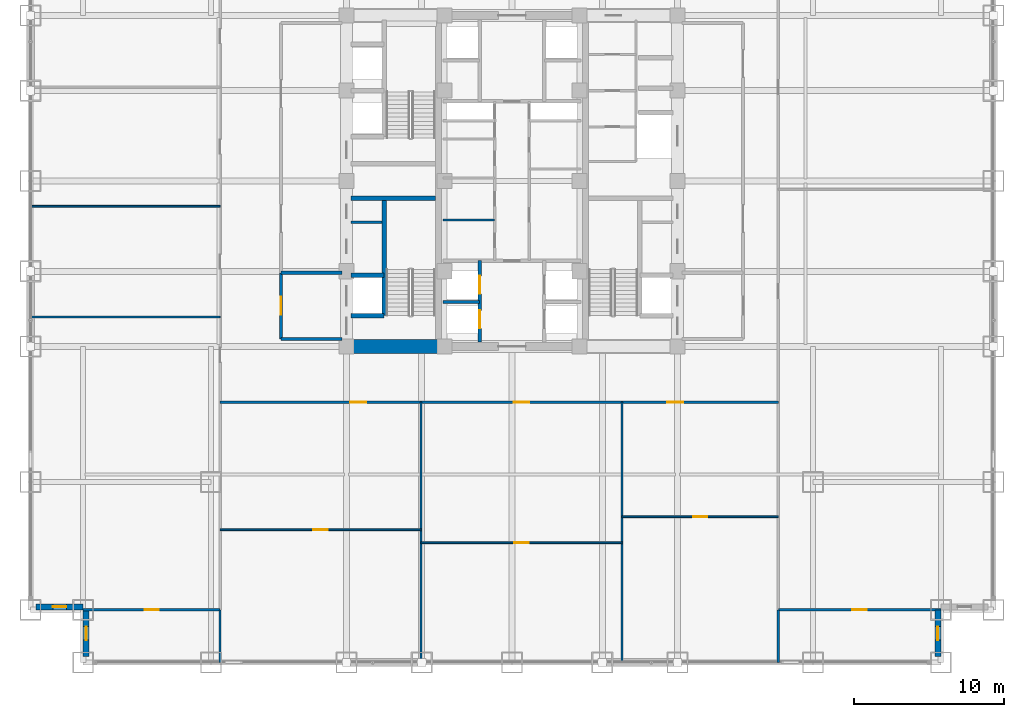
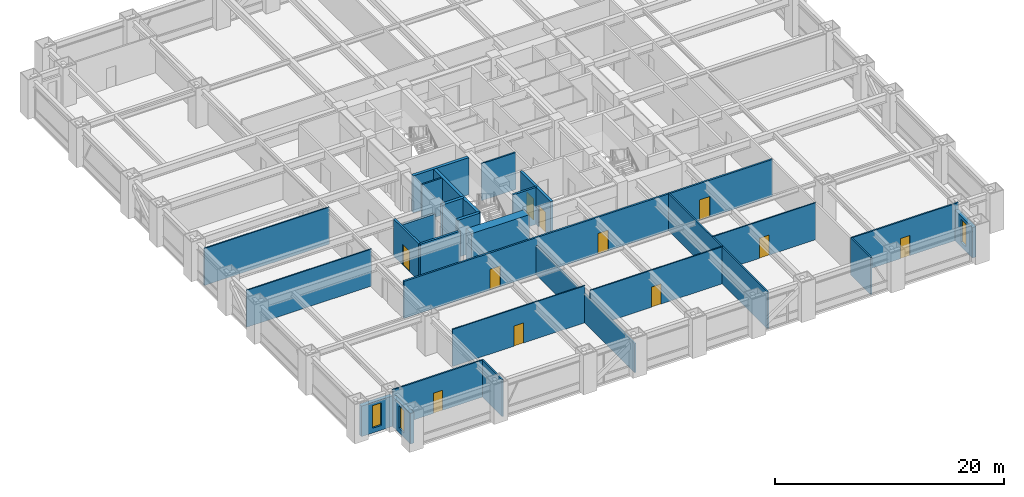
# One storey, part 23 of 28: 27 walls, 11 doors, 3 windows, 14 openings.
"""IFC4 building model written with IfcOpenShell, lengths in metres."""

from ifc_helpers import new_model, si_unit, direction, frame, frame_2d, origin, place, context, subcontext, project, spatial, rectangle, extrude, source, transform, mapped, material, layer, layer_set, type_object, element, fill, save


model = new_model("IFC4")

# Units and contexts
model_context = context("Model", 3, precision=1e-05, world=origin(), true_north=direction((0.0, 1.0)))
body_context = subcontext(model_context, "Body", "Model", "MODEL_VIEW")
ifc_project = project(units=[si_unit("LENGTHUNIT", "METRE"), si_unit("AREAUNIT", "SQUARE_METRE"), si_unit("VOLUMEUNIT", "CUBIC_METRE"), si_unit("PLANEANGLEUNIT", "RADIAN"), si_unit("MASSUNIT", "GRAM", prefix="KILO")], contexts=[model_context])

# Site, building, storey
site_placement = place(None, origin())
site = spatial("IfcSite", under=ifc_project, at=site_placement, CompositionType="ELEMENT")
building_placement = place(site_placement, origin())
building = spatial("IfcBuilding", under=site, at=building_placement, Name="Khorayat Bourse Tower", CompositionType="ELEMENT")
storey_placement = place(building_placement, frame((0.0, 0.0, 57.800048828125)))
storey = spatial("IfcBuildingStorey", under=building, at=storey_placement, Name="L12", CompositionType="ELEMENT", Elevation=57.800048828125)

# Walls
ifc_material_1 = material(Name="Concrete C72/90", Category="concrete")
ifc_layer_1 = layer(ifc_material_1, 0.89990234375)
ifc_layer_set_1 = layer_set([ifc_layer_1], Name="Concrete C72/90")
wall_type_1 = type_object("IfcWallType", Name="WAL-CORE-900", PredefinedType="SHEAR", material=ifc_layer_set_1)
shared_shape_1 = source(origin(), body_context, "Body", "SweptSolid", [
    extrude(rectangle(XDim=5.849853515625, YDim=0.89990234375, at=frame_2d((2.9248046875, 0.0))), origin(), (0.0, 0.0, 1.0), 3.93994140625),
])
wall_1_placement = place(storey_placement, frame((-10.699951171875, -11.0, 0.0), z_axis=(0.0, 0.0, 1.0), x_axis=(1.0, 0.0, 0.0)))
element("IfcWall", 1, at=wall_1_placement, inside=storey, type_object=wall_type_1, Name="L12 Core Shear Wall PIER-WS", PredefinedType="SHEAR", context=body_context, shape_type="MappedRepresentation", body=[
    mapped(shared_shape_1, transform((0.0, 0.0, 0.0), scale=1.0)),
])
ifc_material_2 = material(Name="Concrete C50/60", Category="concrete")
ifc_layer_2 = layer(ifc_material_2, 0.300048828125)
ifc_layer_set_2 = layer_set([ifc_layer_2], Name="Concrete C50/60")
wall_type_2 = type_object("IfcWallType", Name="WAL-SHAFT-300", PredefinedType="SHEAR", material=ifc_layer_set_2)
shared_shape_2 = source(origin(), body_context, "Body", "SweptSolid", [
    extrude(rectangle(XDim=5.599853515625, YDim=0.300048828125, at=frame_2d((2.7998046875, 0.0))), origin(), (0.0, 0.0, 1.0), 3.93994140625),
])
wall_2_placement = place(storey_placement, frame((-10.699951171875, -1.14990234375, 0.0), z_axis=(0.0, 0.0, 1.0), x_axis=(1.0, 0.0, 0.0)))
element("IfcWall", 2, at=wall_2_placement, inside=storey, type_object=wall_type_2, Name="L12 Core Shear Wall ST1-DIV", PredefinedType="SHEAR", context=body_context, shape_type="MappedRepresentation", body=[
    mapped(shared_shape_2, transform((0.0, 0.0, 0.0), scale=1.0)),
])

# Wall, opening, window
ifc_material_3 = material(Name="Precast concrete C45/55", Category="concrete")
ifc_layer_3 = layer(ifc_material_3, 0.3798828125)
ifc_layer_set_3 = layer_set([ifc_layer_3], Name="Precast concrete C45/55")
wall_type_3 = type_object("IfcWallType", Name="WAL-EXT-STONE-380", PredefinedType="STANDARD", material=ifc_layer_set_3)
shared_shape_3 = source(origin(), body_context, "Body", "SweptSolid", [
    extrude(rectangle(XDim=3.1201171875, YDim=0.3798828125, at=frame_2d((1.56005859375, 0.0))), origin(), (0.0, 0.0, 1.0), 3.244873046875),
])
wall_3_placement = place(storey_placement, frame((-28.5, -28.31005859375, 0.0), z_axis=(0.0, 0.0, 1.0), x_axis=(-1.0, 0.0, 0.0)))
wall_3 = element("IfcWall", 3, at=wall_3_placement, inside=storey, type_object=wall_type_3, Name="L12 Re-Entrant Notch Limestone Wall SW-H", PredefinedType="STANDARD", context=body_context, shape_type="MappedRepresentation", body=[
    mapped(shared_shape_3, transform((0.0, 0.0, 0.0), scale=1.0)),
])
shared_shape_4 = source(origin(), body_context, "Body", "SweptSolid", [
    extrude(rectangle(XDim=0.89990234375, YDim=2.39990234375, at=frame_2d((0.449951171875, 1.199951171875))), frame((0.0, 0.199951171875, 0.0), z_axis=(0.0, -1.0, 0.0), x_axis=(1.0, 0.0, 0.0)), (0.0, 0.0, 1.0), 0.39990234375),
])
opening_1_placement = place(wall_3_placement, frame((1.110107421875, 0.0, 0.5)))
opening_1 = element("IfcOpeningElement", 4, at=opening_1_placement, cuts=wall_3, Name="Opening WN-03", PredefinedType="OPENING", context=body_context, shape_type="MappedRepresentation", body=[
    mapped(shared_shape_4, transform((0.0, 0.0, 0.0), scale=1.0)),
])
ifc_material_4 = material(Name="Deep-reveal solar-control double glazing", Category="glass")
window_type = type_object("IfcWindowType", Name="WIN-SLOT-900x2400", PartitioningType="SINGLE_PANEL", PredefinedType="WINDOW", material=ifc_material_4)
shared_shape_5 = source(origin(), body_context, "Body", "SweptSolid", [
    extrude(rectangle(XDim=0.89990234375, YDim=2.39990234375, at=frame_2d((0.449951171875, 1.199951171875))), frame((0.0, 0.030029296875, 0.0), z_axis=(0.0, -1.0, 0.0), x_axis=(1.0, 0.0, 0.0)), (0.0, 0.0, 1.0), 0.06005859375),
])
window_1_placement = place(opening_1_placement, origin())
window_1 = element("IfcWindow", 5, at=window_1_placement, inside=storey, type_object=window_type, Name="L12 Facade Window 1", OverallHeight=2.39990234375, OverallWidth=0.89990234375, PartitioningType="SINGLE_PANEL", PredefinedType="WINDOW", context=body_context, shape_type="MappedRepresentation", body=[
    mapped(shared_shape_5, transform((0.0, 0.0, 0.0), scale=1.0)),
])
fill(opening_1, window_1)

wall_4_placement = place(storey_placement, frame((-28.31005859375, -31.6201171875, 0.0), z_axis=(0.0, 0.0, 1.0), x_axis=(0.0, 1.0, 0.0)))
wall_4 = element("IfcWall", 6, at=wall_4_placement, inside=storey, type_object=wall_type_3, Name="L12 Re-Entrant Notch Limestone Wall SW-V", PredefinedType="STANDARD", context=body_context, shape_type="MappedRepresentation", body=[
    mapped(shared_shape_3, transform((0.0, 0.0, 0.0), scale=1.0)),
])
opening_2_placement = place(wall_4_placement, frame((1.110107421875, 0.0, 0.5)))
opening_2 = element("IfcOpeningElement", 7, at=opening_2_placement, cuts=wall_4, Name="Opening WN-03", PredefinedType="OPENING", context=body_context, shape_type="MappedRepresentation", body=[
    mapped(shared_shape_4, transform((0.0, 0.0, 0.0), scale=1.0)),
])
window_2_placement = place(opening_2_placement, origin())
window_2 = element("IfcWindow", 8, at=window_2_placement, inside=storey, type_object=window_type, Name="L12 Facade Window 1", OverallHeight=2.39990234375, OverallWidth=0.89990234375, PartitioningType="SINGLE_PANEL", PredefinedType="WINDOW", context=body_context, shape_type="MappedRepresentation", body=[
    mapped(shared_shape_5, transform((0.0, 0.0, 0.0), scale=1.0)),
])
fill(opening_2, window_2)

wall_5_placement = place(storey_placement, frame((28.31005859375, -31.6201171875, 0.0), z_axis=(0.0, 0.0, 1.0), x_axis=(0.0, 1.0, 0.0)))
wall_5 = element("IfcWall", 9, at=wall_5_placement, inside=storey, type_object=wall_type_3, Name="L12 Re-Entrant Notch Limestone Wall SE-V", PredefinedType="STANDARD", context=body_context, shape_type="MappedRepresentation", body=[
    mapped(shared_shape_3, transform((0.0, 0.0, 0.0), scale=1.0)),
])
opening_3_placement = place(wall_5_placement, frame((1.110107421875, 0.0, 0.5)))
opening_3 = element("IfcOpeningElement", 10, at=opening_3_placement, cuts=wall_5, Name="Opening WN-03", PredefinedType="OPENING", context=body_context, shape_type="MappedRepresentation", body=[
    mapped(shared_shape_4, transform((0.0, 0.0, 0.0), scale=1.0)),
])
window_3_placement = place(opening_3_placement, origin())
window_3 = element("IfcWindow", 11, at=window_3_placement, inside=storey, type_object=window_type, Name="L12 Facade Window 1", OverallHeight=2.39990234375, OverallWidth=0.89990234375, PartitioningType="SINGLE_PANEL", PredefinedType="WINDOW", context=body_context, shape_type="MappedRepresentation", body=[
    mapped(shared_shape_5, transform((0.0, 0.0, 0.0), scale=1.0)),
])
fill(opening_3, window_3)

# Walls
shared_shape_6 = source(origin(), body_context, "Body", "SweptSolid", [
    extrude(rectangle(XDim=7.800048828125, YDim=0.300048828125, at=frame_2d((3.89990234375, 0.0))), origin(), (0.0, 0.0, 1.0), 3.93994140625),
])
wall_6_placement = place(storey_placement, frame((-8.5, -8.949951171875, 0.0), z_axis=(0.0, 0.0, 1.0), x_axis=(0.0, 1.0, 0.0)))
element("IfcWall", 12, at=wall_6_placement, inside=storey, type_object=wall_type_2, Name="L12 Partition WAL-L12-WPIER-SP", PredefinedType="SHEAR", context=body_context, shape_type="MappedRepresentation", body=[
    mapped(shared_shape_6, transform((0.0, 0.0, 0.0), scale=1.0)),
])
shared_shape_7 = source(origin(), body_context, "Body", "SweptSolid", [
    extrude(rectangle(XDim=2.199951171875, YDim=0.300048828125, at=frame_2d((1.10009765625, 0.0))), origin(), (0.0, 0.0, 1.0), 3.93994140625),
])
for number, where, z_axis, x_axis, name in (
    (13, (-10.699951171875, -8.949951171875, 0.0), (0.0, 0.0, 1.0), (1.0, 0.0, 0.0), "L12 Partition WAL-L12-WPIER-FF1S"),
    (14, (-10.699951171875, -6.25, 0.0), (0.0, 0.0, 1.0), (1.0, 0.0, 0.0), "L12 Partition WAL-L12-WPIER-FF1N"),
):
    element("IfcWall", number, at=place(storey_placement, frame(where, z_axis=z_axis, x_axis=x_axis)), inside=storey, type_object=wall_type_2, Name=name, PredefinedType="SHEAR", context=body_context, shape_type="MappedRepresentation", body=[
        mapped(shared_shape_7, transform((0.0, 0.0, 0.0), scale=1.0)),
    ])
ifc_material_5 = material(Name="Gypsum plasterboard twin-frame partition")
ifc_layer_4 = layer(ifc_material_5, 0.14990234375)
ifc_layer_set_4 = layer_set([ifc_layer_4], Name="Gypsum plasterboard twin-frame partition")
wall_type_4 = type_object("IfcWallType", Name="WAL-PART-SUITE-150", PredefinedType="PARTITIONING", material=ifc_layer_set_4)
shared_shape_8 = source(origin(), body_context, "Body", "SweptSolid", [
    extrude(rectangle(XDim=2.050048828125, YDim=0.14990234375, at=frame_2d((1.02490234375, 0.0))), origin(), (0.0, 0.0, 1.0), 3.93994140625),
])
wall_7_placement = place(storey_placement, frame((-10.699951171875, -2.75, 0.0), z_axis=(0.0, 0.0, 1.0), x_axis=(1.0, 0.0, 0.0)))
element("IfcWall", 15, at=wall_7_placement, inside=storey, type_object=wall_type_4, Name="L12 Partition WAL-L12-WSRV-D1", PredefinedType="PARTITIONING", context=body_context, shape_type="MappedRepresentation", body=[
    mapped(shared_shape_8, transform((0.0, 0.0, 0.0), scale=1.0)),
])
ifc_material_6 = material(Name="Aerated concrete blockwork", Category="masonry")
ifc_layer_5 = layer(ifc_material_6, 0.219970703125)
ifc_layer_set_5 = layer_set([ifc_layer_5], Name="Aerated concrete blockwork")
wall_type_5 = type_object("IfcWallType", Name="WAL-PART-FF-220", PredefinedType="PARTITIONING", material=ifc_layer_set_5)
shared_shape_9 = source(origin(), body_context, "Body", "SweptSolid", [
    extrude(rectangle(XDim=4.050048828125, YDim=0.219970703125, at=frame_2d((2.02490234375, 0.0))), origin(), (0.0, 0.0, 1.0), 3.93994140625),
])
wall_8_placement = place(storey_placement, frame((-15.35009765625, -10.5, 0.0), z_axis=(0.0, 0.0, 1.0), x_axis=(1.0, 0.0, 0.0)))
element("IfcWall", 16, at=wall_8_placement, inside=storey, type_object=wall_type_5, Name="L12 Partition WAL-L12-FFLW-S", PredefinedType="PARTITIONING", context=body_context, shape_type="MappedRepresentation", body=[
    mapped(shared_shape_9, transform((0.0, 0.0, 0.0), scale=1.0)),
])
shared_shape_10 = source(origin(), body_context, "Body", "SweptSolid", [
    extrude(rectangle(XDim=4.050048828125, YDim=0.219970703125, at=frame_2d((2.02490234375, 0.0))), origin(), (0.0, 0.0, 1.0), 3.0849609375),
])
wall_9_placement = place(storey_placement, frame((-15.35009765625, -6.10009765625, 0.0), z_axis=(0.0, 0.0, 1.0), x_axis=(1.0, 0.0, 0.0)))
element("IfcWall", 17, at=wall_9_placement, inside=storey, type_object=wall_type_5, Name="L12 Partition WAL-L12-FFLW-N", PredefinedType="PARTITIONING", context=body_context, shape_type="MappedRepresentation", body=[
    mapped(shared_shape_10, transform((0.0, 0.0, 0.0), scale=1.0)),
])

# Wall, opening, door
shared_shape_11 = source(origin(), body_context, "Body", "SweptSolid", [
    extrude(rectangle(XDim=4.39990234375, YDim=0.219970703125, at=frame_2d((2.199951171875, 0.0))), origin(), (0.0, 0.0, 1.0), 3.93994140625),
])
wall_10_placement = place(storey_placement, frame((-15.35009765625, -10.5, 0.0), z_axis=(0.0, 0.0, 1.0), x_axis=(0.0, 1.0, 0.0)))
wall_10 = element("IfcWall", 18, at=wall_10_placement, inside=storey, type_object=wall_type_5, Name="L12 Partition WAL-L12-FFLW-W", PredefinedType="PARTITIONING", context=body_context, shape_type="MappedRepresentation", body=[
    mapped(shared_shape_11, transform((0.0, 0.0, 0.0), scale=1.0)),
])
shared_shape_12 = source(origin(), body_context, "Body", "SweptSolid", [
    extrude(rectangle(XDim=1.199951171875, YDim=2.199951171875, at=frame_2d((0.60009765625, 1.10009765625))), frame((0.0, 0.119873046875, 0.0), z_axis=(0.0, -1.0, 0.0), x_axis=(1.0, 0.0, 0.0)), (0.0, 0.0, 1.0), 0.239990234375),
])
opening_4_placement = place(wall_10_placement, frame((1.60009765625, 0.0, 0.0)))
opening_4 = element("IfcOpeningElement", 19, at=opening_4_placement, cuts=wall_10, Name="Opening DI-02", PredefinedType="OPENING", context=body_context, shape_type="MappedRepresentation", body=[
    mapped(shared_shape_12, transform((0.0, 0.0, 0.0), scale=1.0)),
])
ifc_material_7 = material(Name="Fire-rated steel double-seal leaf", Category="steel")
door_type_1 = type_object("IfcDoorType", Name="DR-INT-FFLOBBY-1200", OperationType="NOTDEFINED", PredefinedType="DOOR", material=ifc_material_7)
shared_shape_13 = source(origin(), body_context, "Body", "SweptSolid", [
    extrude(rectangle(XDim=1.199951171875, YDim=2.199951171875, at=frame_2d((0.60009765625, 1.10009765625))), frame((0.0, 0.02490234375, 0.0), z_axis=(0.0, -1.0, 0.0), x_axis=(1.0, 0.0, 0.0)), (0.0, 0.0, 1.0), 0.050048828125),
])
door_1_placement = place(opening_4_placement, origin())
door_1 = element("IfcDoor", 20, at=door_1_placement, inside=storey, type_object=door_type_1, Name="L12 West Firefighting Lobby Door", OperationType="SINGLE_SWING_LEFT", OverallHeight=2.199951171875, OverallWidth=1.199951171875, PredefinedType="DOOR", context=body_context, shape_type="MappedRepresentation", body=[
    mapped(shared_shape_13, transform((0.0, 0.0, 0.0), scale=1.0)),
])
fill(opening_4, door_1)

# Wall, openings, doors
shared_shape_14 = source(origin(), body_context, "Body", "SweptSolid", [
    extrude(rectangle(XDim=5.39990234375, YDim=0.25, at=frame_2d((2.699951171875, 0.0))), origin(), (0.0, 0.0, 1.0), 3.93994140625),
])
wall_11_placement = place(storey_placement, frame((-2.14990234375, -10.699951171875, 0.0), z_axis=(0.0, 0.0, 1.0), x_axis=(0.0, 1.0, 0.0)))
wall_11 = element("IfcWall", 21, at=wall_11_placement, inside=storey, type_object=wall_type_2, Name="L12 Partition WAL-L12-B1-W", PredefinedType="SHEAR", context=body_context, shape_type="MappedRepresentation", body=[
    mapped(shared_shape_14, transform((0.0, 0.0, 0.0), scale=1.0)),
])
shared_shape_15 = source(origin(), body_context, "Body", "SweptSolid", [
    extrude(rectangle(XDim=1.199951171875, YDim=2.300048828125, at=frame_2d((0.60009765625, 1.14990234375))), frame((0.0, 0.135009765625, 0.0), z_axis=(0.0, -1.0, 0.0), x_axis=(1.0, 0.0, 0.0)), (0.0, 0.0, 1.0), 0.27001953125),
])
opening_5_placement = place(wall_11_placement, frame((0.89990234375, 0.0, 0.0)))
opening_5 = element("IfcOpeningElement", 22, at=opening_5_placement, cuts=wall_11, Name="Opening LD-01", PredefinedType="OPENING", context=body_context, shape_type="MappedRepresentation", body=[
    mapped(shared_shape_15, transform((0.0, 0.0, 0.0), scale=1.0)),
])
opening_6_placement = place(wall_11_placement, frame((3.199951171875, 0.0, 0.0)))
opening_6 = element("IfcOpeningElement", 23, at=opening_6_placement, cuts=wall_11, Name="Opening LD-01", PredefinedType="OPENING", context=body_context, shape_type="MappedRepresentation", body=[
    mapped(shared_shape_15, transform((0.0, 0.0, 0.0), scale=1.0)),
])
ifc_material_8 = material(Name="Brushed bronze stainless-steel sliding door", Category="steel")
door_type_2 = type_object("IfcDoorType", Name="DR-LIFT-PASS-1200", OperationType="NOTDEFINED", PredefinedType="DOOR", material=ifc_material_8)
shared_shape_16 = source(origin(), body_context, "Body", "SweptSolid", [
    extrude(rectangle(XDim=1.199951171875, YDim=2.300048828125, at=frame_2d((0.60009765625, 1.14990234375))), frame((0.0, 0.02490234375, 0.0), z_axis=(0.0, -1.0, 0.0), x_axis=(1.0, 0.0, 0.0)), (0.0, 0.0, 1.0), 0.050048828125),
])
door_2_placement = place(opening_5_placement, origin())
door_2 = element("IfcDoor", 24, at=door_2_placement, inside=storey, type_object=door_type_2, Name="L12 Lift PL-L1 Sliding Landing Door", OperationType="SLIDING_TO_LEFT", OverallHeight=2.300048828125, OverallWidth=1.199951171875, PredefinedType="DOOR", context=body_context, shape_type="MappedRepresentation", body=[
    mapped(shared_shape_16, transform((0.0, 0.0, 0.0), scale=1.0)),
])
fill(opening_5, door_2)
door_3_placement = place(opening_6_placement, origin())
door_3 = element("IfcDoor", 25, at=door_3_placement, inside=storey, type_object=door_type_2, Name="L12 Lift PL-L3 Sliding Landing Door", OperationType="SLIDING_TO_LEFT", OverallHeight=2.300048828125, OverallWidth=1.199951171875, PredefinedType="DOOR", context=body_context, shape_type="MappedRepresentation", body=[
    mapped(shared_shape_16, transform((0.0, 0.0, 0.0), scale=1.0)),
])
fill(opening_6, door_3)

# Walls
shared_shape_17 = source(origin(), body_context, "Body", "SweptSolid", [
    extrude(rectangle(XDim=2.4501953125, YDim=0.199951171875, at=frame_2d((1.22509765625, 0.0))), origin(), (0.0, 0.0, 1.0), 3.93994140625),
])
wall_12_placement = place(storey_placement, frame((-4.60009765625, -8.050048828125, 0.0), z_axis=(0.0, 0.0, 1.0), x_axis=(1.0, 0.0, 0.0)))
element("IfcWall", 26, at=wall_12_placement, inside=storey, type_object=wall_type_2, Name="L12 Partition WAL-L12-B1-MW", PredefinedType="SHEAR", context=body_context, shape_type="MappedRepresentation", body=[
    mapped(shared_shape_17, transform((0.0, 0.0, 0.0), scale=1.0)),
])
ifc_material_9 = material(Name="Moisture-resistant masonry partition", Category="masonry")
ifc_layer_6 = layer(ifc_material_9, 0.139892578125)
ifc_layer_set_6 = layer_set([ifc_layer_6], Name="Moisture-resistant masonry partition")
wall_type_6 = type_object("IfcWallType", Name="WAL-PART-WET-140", PredefinedType="PARTITIONING", material=ifc_layer_set_6)
shared_shape_18 = source(origin(), body_context, "Body", "SweptSolid", [
    extrude(rectangle(XDim=3.4501953125, YDim=0.139892578125, at=frame_2d((1.72509765625, 0.0))), origin(), (0.0, 0.0, 1.0), 3.93994140625),
])
wall_13_placement = place(storey_placement, frame((-4.60009765625, -2.60009765625, 0.0), z_axis=(0.0, 0.0, 1.0), x_axis=(1.0, 0.0, 0.0)))
element("IfcWall", 27, at=wall_13_placement, inside=storey, type_object=wall_type_6, Name="L12 Partition WAL-L12-CMW-D1", PredefinedType="PARTITIONING", context=body_context, shape_type="MappedRepresentation", body=[
    mapped(shared_shape_18, transform((0.0, 0.0, 0.0), scale=1.0)),
])
shared_shape_19 = source(origin(), body_context, "Body", "SweptSolid", [
    extrude(rectangle(XDim=3.5, YDim=0.14990234375, at=frame_2d((1.75, 0.0))), origin(), (0.0, 0.0, 1.0), 3.93994140625),
])
for number, where, z_axis, x_axis, name in (
    (28, (-19.39990234375, -32.0, 0.0), (0.0, 0.0, 1.0), (0.0, 1.0, 0.0), "L12 Partition WAL-L12-SCW-END"),
    (29, (17.699951171875, -32.0, 0.0), (0.0, 0.0, 1.0), (0.0, 1.0, 0.0), "L12 Partition WAL-L12-SCE-END"),
):
    element("IfcWall", number, at=place(storey_placement, frame(where, z_axis=z_axis, x_axis=x_axis)), inside=storey, type_object=wall_type_4, Name=name, PredefinedType="PARTITIONING", context=body_context, shape_type="MappedRepresentation", body=[
        mapped(shared_shape_19, transform((0.0, 0.0, 0.0), scale=1.0)),
    ])

# Wall, opening, door
shared_shape_20 = source(origin(), body_context, "Body", "SweptSolid", [
    extrude(rectangle(XDim=10.800048828125, YDim=0.14990234375, at=frame_2d((5.39990234375, 0.0))), origin(), (0.0, 0.0, 1.0), 3.93994140625),
])
wall_14_placement = place(storey_placement, frame((17.699951171875, -28.5, 0.0), z_axis=(0.0, 0.0, 1.0), x_axis=(1.0, 0.0, 0.0)))
wall_14 = element("IfcWall", 30, at=wall_14_placement, inside=storey, type_object=wall_type_4, Name="L12 Partition WAL-L12-CSE", PredefinedType="PARTITIONING", context=body_context, shape_type="MappedRepresentation", body=[
    mapped(shared_shape_20, transform((0.0, 0.0, 0.0), scale=1.0)),
])
shared_shape_21 = source(origin(), body_context, "Body", "SweptSolid", [
    extrude(rectangle(XDim=0.949951171875, YDim=2.14990234375, at=frame_2d((0.47509765625, 1.074951171875))), frame((0.0, 0.0849609375, 0.0), z_axis=(0.0, -1.0, 0.0), x_axis=(1.0, 0.0, 0.0)), (0.0, 0.0, 1.0), 0.169921875),
])
opening_7_placement = place(wall_14_placement, frame((4.925048828125, 0.0, 0.0)))
opening_7 = element("IfcOpeningElement", 31, at=opening_7_placement, cuts=wall_14, Name="Opening DI-05", PredefinedType="OPENING", context=body_context, shape_type="MappedRepresentation", body=[
    mapped(shared_shape_21, transform((0.0, 0.0, 0.0), scale=1.0)),
])
ifc_material_10 = material(Name="Acoustic oak veneer office door")
door_type_3 = type_object("IfcDoorType", Name="DR-INT-OFFICE-950", OperationType="NOTDEFINED", PredefinedType="DOOR", material=ifc_material_10)
shared_shape_22 = source(origin(), body_context, "Body", "SweptSolid", [
    extrude(rectangle(XDim=0.949951171875, YDim=2.14990234375, at=frame_2d((0.47509765625, 1.074951171875))), frame((0.0, 0.02490234375, 0.0), z_axis=(0.0, -1.0, 0.0), x_axis=(1.0, 0.0, 0.0)), (0.0, 0.0, 1.0), 0.050048828125),
])
door_4_placement = place(opening_7_placement, origin())
door_4 = element("IfcDoor", 32, at=door_4_placement, inside=storey, type_object=door_type_3, Name="L12 South-East Corner Briefing Room Door", OperationType="SINGLE_SWING_LEFT", OverallHeight=2.14990234375, OverallWidth=0.949951171875, PredefinedType="DOOR", context=body_context, shape_type="MappedRepresentation", body=[
    mapped(shared_shape_22, transform((0.0, 0.0, 0.0), scale=1.0)),
])
fill(opening_7, door_4)

shared_shape_23 = source(origin(), body_context, "Body", "SweptSolid", [
    extrude(rectangle(XDim=9.10009765625, YDim=0.14990234375, at=frame_2d((4.550048828125, 0.0))), origin(), (0.0, 0.0, 1.0), 3.93994140625),
])
wall_15_placement = place(storey_placement, frame((-28.5, -28.5, 0.0), z_axis=(0.0, 0.0, 1.0), x_axis=(1.0, 0.0, 0.0)))
wall_15 = element("IfcWall", 33, at=wall_15_placement, inside=storey, type_object=wall_type_4, Name="L12 Partition WAL-L12-CSW", PredefinedType="PARTITIONING", context=body_context, shape_type="MappedRepresentation", body=[
    mapped(shared_shape_23, transform((0.0, 0.0, 0.0), scale=1.0)),
])
opening_8_placement = place(wall_15_placement, frame((4.074951171875, 0.0, 0.0)))
opening_8 = element("IfcOpeningElement", 34, at=opening_8_placement, cuts=wall_15, Name="Opening DI-05", PredefinedType="OPENING", context=body_context, shape_type="MappedRepresentation", body=[
    mapped(shared_shape_21, transform((0.0, 0.0, 0.0), scale=1.0)),
])
door_5_placement = place(opening_8_placement, origin())
door_5 = element("IfcDoor", 35, at=door_5_placement, inside=storey, type_object=door_type_3, Name="L12 South-West Corner Office Door", OperationType="SINGLE_SWING_LEFT", OverallHeight=2.14990234375, OverallWidth=0.949951171875, PredefinedType="DOOR", context=body_context, shape_type="MappedRepresentation", body=[
    mapped(shared_shape_22, transform((0.0, 0.0, 0.0), scale=1.0)),
])
fill(opening_8, door_5)

ifc_material_11 = material(Name="Gypsum plasterboard partition")
ifc_layer_7 = layer(ifc_material_11, 0.125)
ifc_layer_set_7 = layer_set([ifc_layer_7], Name="Gypsum plasterboard partition")
wall_type_7 = type_object("IfcWallType", Name="WAL-PART-ROOM-125", PredefinedType="PARTITIONING", material=ifc_layer_set_7)
shared_shape_24 = source(origin(), body_context, "Body", "SweptSolid", [
    extrude(rectangle(XDim=13.35595703125, YDim=0.125, at=frame_2d((6.677978515625, 0.0))), origin(), (0.0, 0.0, 1.0), 3.93994140625),
])
wall_16_placement = place(storey_placement, frame((-19.39990234375, -23.177001953125, 0.0), z_axis=(0.0, 0.0, 1.0), x_axis=(1.0, 0.0, 0.0)))
wall_16 = element("IfcWall", 36, at=wall_16_placement, inside=storey, type_object=wall_type_7, Name="L12 Partition WAL-L12-SDP-1", PredefinedType="PARTITIONING", context=body_context, shape_type="MappedRepresentation", body=[
    mapped(shared_shape_24, transform((0.0, 0.0, 0.0), scale=1.0)),
])
shared_shape_25 = source(origin(), body_context, "Body", "SweptSolid", [
    extrude(rectangle(XDim=0.949951171875, YDim=2.14990234375, at=frame_2d((0.47509765625, 1.074951171875))), frame((0.0, 0.072509765625, 0.0), z_axis=(0.0, -1.0, 0.0), x_axis=(1.0, 0.0, 0.0)), (0.0, 0.0, 1.0), 0.14501953125),
])
opening_9_placement = place(wall_16_placement, frame((6.202880859375, 0.0, 0.0)))
opening_9 = element("IfcOpeningElement", 37, at=opening_9_placement, cuts=wall_16, Name="Opening DI-05", PredefinedType="OPENING", context=body_context, shape_type="MappedRepresentation", body=[
    mapped(shared_shape_25, transform((0.0, 0.0, 0.0), scale=1.0)),
])
door_6_placement = place(opening_9_placement, origin())
door_6 = element("IfcDoor", 38, at=door_6_placement, inside=storey, type_object=door_type_3, Name="L12 Members Dining Room S1B Door", OperationType="SINGLE_SWING_RIGHT", OverallHeight=2.14990234375, OverallWidth=0.949951171875, PredefinedType="DOOR", context=body_context, shape_type="MappedRepresentation", body=[
    mapped(shared_shape_22, transform((0.0, 0.0, 0.0), scale=1.0)),
])
fill(opening_9, door_6)

wall_17_placement = place(storey_placement, frame((-6.0439453125, -24.0419921875, 0.0), z_axis=(0.0, 0.0, 1.0), x_axis=(1.0, 0.0, 0.0)))
wall_17 = element("IfcWall", 39, at=wall_17_placement, inside=storey, type_object=wall_type_7, Name="L12 Partition WAL-L12-SDP-2", PredefinedType="PARTITIONING", context=body_context, shape_type="MappedRepresentation", body=[
    mapped(shared_shape_24, transform((0.0, 0.0, 0.0), scale=1.0)),
])
opening_10_placement = place(wall_17_placement, frame((6.202880859375, 0.0, 0.0)))
opening_10 = element("IfcOpeningElement", 40, at=opening_10_placement, cuts=wall_17, Name="Opening DI-05", PredefinedType="OPENING", context=body_context, shape_type="MappedRepresentation", body=[
    mapped(shared_shape_25, transform((0.0, 0.0, 0.0), scale=1.0)),
])
door_7_placement = place(opening_10_placement, origin())
door_7 = element("IfcDoor", 41, at=door_7_placement, inside=storey, type_object=door_type_3, Name="L12 Members Club Room S2B Door", OperationType="SINGLE_SWING_LEFT", OverallHeight=2.14990234375, OverallWidth=0.949951171875, PredefinedType="DOOR", context=body_context, shape_type="MappedRepresentation", body=[
    mapped(shared_shape_22, transform((0.0, 0.0, 0.0), scale=1.0)),
])
fill(opening_10, door_7)

# Walls
shared_shape_26 = source(origin(), body_context, "Body", "SweptSolid", [
    extrude(rectangle(XDim=17.300048828125, YDim=0.14990234375, at=frame_2d((8.64990234375, 0.0))), origin(), (0.0, 0.0, 1.0), 3.0849609375),
])
wall_18_placement = place(storey_placement, frame((-6.0439453125, -32.0, 0.0), z_axis=(0.0, 0.0, 1.0), x_axis=(0.0, 1.0, 0.0)))
element("IfcWall", 42, at=wall_18_placement, inside=storey, type_object=wall_type_4, Name="L12 Partition WAL-L12-SDV-1", PredefinedType="PARTITIONING", context=body_context, shape_type="MappedRepresentation", body=[
    mapped(shared_shape_26, transform((0.0, 0.0, 0.0), scale=1.0)),
])
shared_shape_27 = source(origin(), body_context, "Body", "SweptSolid", [
    extrude(rectangle(XDim=17.300048828125, YDim=0.14990234375, at=frame_2d((8.64990234375, 0.0))), origin(), (0.0, 0.0, 1.0), 3.93994140625),
])
wall_19_placement = place(storey_placement, frame((7.31201171875, -32.0, 0.0), z_axis=(0.0, 0.0, 1.0), x_axis=(0.0, 1.0, 0.0)))
element("IfcWall", 43, at=wall_19_placement, inside=storey, type_object=wall_type_4, Name="L12 Partition WAL-L12-SDV-2", PredefinedType="PARTITIONING", context=body_context, shape_type="MappedRepresentation", body=[
    mapped(shared_shape_27, transform((0.0, 0.0, 0.0), scale=1.0)),
])

# Wall, opening, door
shared_shape_28 = source(origin(), body_context, "Body", "SweptSolid", [
    extrude(rectangle(XDim=10.387939453125, YDim=0.125, at=frame_2d((5.19384765625, 0.0))), origin(), (0.0, 0.0, 1.0), 3.93994140625),
])
wall_20_placement = place(storey_placement, frame((7.31201171875, -22.31201171875, 0.0), z_axis=(0.0, 0.0, 1.0), x_axis=(1.0, 0.0, 0.0)))
wall_20 = element("IfcWall", 44, at=wall_20_placement, inside=storey, type_object=wall_type_7, Name="L12 Partition WAL-L12-SDP-3", PredefinedType="PARTITIONING", context=body_context, shape_type="MappedRepresentation", body=[
    mapped(shared_shape_28, transform((0.0, 0.0, 0.0), scale=1.0)),
])
opening_11_placement = place(wall_20_placement, frame((4.718994140625, 0.0, 0.0)))
opening_11 = element("IfcOpeningElement", 45, at=opening_11_placement, cuts=wall_20, Name="Opening DI-05", PredefinedType="OPENING", context=body_context, shape_type="MappedRepresentation", body=[
    mapped(shared_shape_25, transform((0.0, 0.0, 0.0), scale=1.0)),
])
door_8_placement = place(opening_11_placement, origin())
door_8 = element("IfcDoor", 46, at=door_8_placement, inside=storey, type_object=door_type_3, Name="L12 Issuer Listing Showroom S3B Door", OperationType="SINGLE_SWING_RIGHT", OverallHeight=2.14990234375, OverallWidth=0.949951171875, PredefinedType="DOOR", context=body_context, shape_type="MappedRepresentation", body=[
    mapped(shared_shape_22, transform((0.0, 0.0, 0.0), scale=1.0)),
])
fill(opening_11, door_8)

# Wall, openings, doors
ifc_material_12 = material(Name="Gypsum plasterboard acoustic stud wall")
ifc_layer_8 = layer(ifc_material_12, 0.179931640625)
ifc_layer_set_8 = layer_set([ifc_layer_8], Name="Gypsum plasterboard acoustic stud wall")
wall_type_8 = type_object("IfcWallType", Name="WAL-PART-CORR-180", PredefinedType="PARTITIONING", material=ifc_layer_set_8)
shared_shape_29 = source(origin(), body_context, "Body", "SweptSolid", [
    extrude(rectangle(XDim=37.099853515625, YDim=0.179931640625, at=frame_2d((18.5498046875, 0.0))), origin(), (0.0, 0.0, 1.0), 3.93994140625),
])
wall_21_placement = place(storey_placement, frame((-19.39990234375, -14.699951171875, 0.0), z_axis=(0.0, 0.0, 1.0), x_axis=(1.0, 0.0, 0.0)))
wall_21 = element("IfcWall", 47, at=wall_21_placement, inside=storey, type_object=wall_type_8, Name="L12 Partition WAL-L12-SCORR", PredefinedType="PARTITIONING", context=body_context, shape_type="MappedRepresentation", body=[
    mapped(shared_shape_29, transform((0.0, 0.0, 0.0), scale=1.0)),
])
shared_shape_30 = source(origin(), body_context, "Body", "SweptSolid", [
    extrude(rectangle(XDim=1.050048828125, YDim=2.199951171875, at=frame_2d((0.52490234375, 1.10009765625))), frame((0.0, 0.099853515625, 0.0), z_axis=(0.0, -1.0, 0.0), x_axis=(1.0, 0.0, 0.0)), (0.0, 0.0, 1.0), 0.199951171875),
])
opening_12_placement = place(wall_21_placement, frame((8.653076171875, 0.0, 0.0)))
opening_12 = element("IfcOpeningElement", 48, at=opening_12_placement, cuts=wall_21, Name="Opening DI-04", PredefinedType="OPENING", context=body_context, shape_type="MappedRepresentation", body=[
    mapped(shared_shape_30, transform((0.0, 0.0, 0.0), scale=1.0)),
])
opening_13_placement = place(wall_21_placement, frame((19.509033203125, 0.0, 0.0)))
opening_13 = element("IfcOpeningElement", 49, at=opening_13_placement, cuts=wall_21, Name="Opening DI-04", PredefinedType="OPENING", context=body_context, shape_type="MappedRepresentation", body=[
    mapped(shared_shape_30, transform((0.0, 0.0, 0.0), scale=1.0)),
])
opening_14_placement = place(wall_21_placement, frame((29.73095703125, 0.0, 0.0)))
opening_14 = element("IfcOpeningElement", 50, at=opening_14_placement, cuts=wall_21, Name="Opening DI-04", PredefinedType="OPENING", context=body_context, shape_type="MappedRepresentation", body=[
    mapped(shared_shape_30, transform((0.0, 0.0, 0.0), scale=1.0)),
])
ifc_material_13 = material(Name="Fire-rated oak veneer suite entrance door")
door_type_4 = type_object("IfcDoorType", Name="DR-INT-SUITE-1050", OperationType="NOTDEFINED", PredefinedType="DOOR", material=ifc_material_13)
shared_shape_31 = source(origin(), body_context, "Body", "SweptSolid", [
    extrude(rectangle(XDim=1.050048828125, YDim=2.199951171875, at=frame_2d((0.52490234375, 1.10009765625))), frame((0.0, 0.02490234375, 0.0), z_axis=(0.0, -1.0, 0.0), x_axis=(1.0, 0.0, 0.0)), (0.0, 0.0, 1.0), 0.050048828125),
])
door_9_placement = place(opening_12_placement, origin())
door_9 = element("IfcDoor", 51, at=door_9_placement, inside=storey, type_object=door_type_4, Name="L12 Members Exchange Lounge S1 Door", OperationType="SINGLE_SWING_RIGHT", OverallHeight=2.199951171875, OverallWidth=1.050048828125, PredefinedType="DOOR", context=body_context, shape_type="MappedRepresentation", body=[
    mapped(shared_shape_31, transform((0.0, 0.0, 0.0), scale=1.0)),
])
fill(opening_12, door_9)
door_10_placement = place(opening_13_placement, origin())
door_10 = element("IfcDoor", 52, at=door_10_placement, inside=storey, type_object=door_type_4, Name="L12 Quantitative Research Study S2 Door", OperationType="SINGLE_SWING_LEFT", OverallHeight=2.199951171875, OverallWidth=1.050048828125, PredefinedType="DOOR", context=body_context, shape_type="MappedRepresentation", body=[
    mapped(shared_shape_31, transform((0.0, 0.0, 0.0), scale=1.0)),
])
fill(opening_13, door_10)
door_11_placement = place(opening_14_placement, origin())
door_11 = element("IfcDoor", 53, at=door_11_placement, inside=storey, type_object=door_type_4, Name="L12 Executive Wellness Fitness Gym S3 Door", OperationType="SINGLE_SWING_RIGHT", OverallHeight=2.199951171875, OverallWidth=1.050048828125, PredefinedType="DOOR", context=body_context, shape_type="MappedRepresentation", body=[
    mapped(shared_shape_31, transform((0.0, 0.0, 0.0), scale=1.0)),
])
fill(opening_14, door_11)

# Walls
shared_shape_32 = source(origin(), body_context, "Body", "SweptSolid", [
    extrude(rectangle(XDim=12.60009765625, YDim=0.125, at=frame_2d((6.300048828125, 0.0))), origin(), (0.0, 0.0, 1.0), 3.93994140625),
])
for number, where, z_axis, x_axis, name in (
    (54, (-32.0, -9.0400390625, 0.0), (0.0, 0.0, 1.0), (1.0, 0.0, 0.0), "L12 Partition WAL-L12-WDV-1"),
    (55, (-32.0, -1.681884765625, 0.0), (0.0, 0.0, 1.0), (1.0, 0.0, 0.0), "L12 Partition WAL-L12-WDV-2"),
):
    element("IfcWall", number, at=place(storey_placement, frame(where, z_axis=z_axis, x_axis=x_axis)), inside=storey, type_object=wall_type_7, Name=name, PredefinedType="PARTITIONING", context=body_context, shape_type="MappedRepresentation", body=[
        mapped(shared_shape_32, transform((0.0, 0.0, 0.0), scale=1.0)),
    ])

save(model, "model.ifc")
